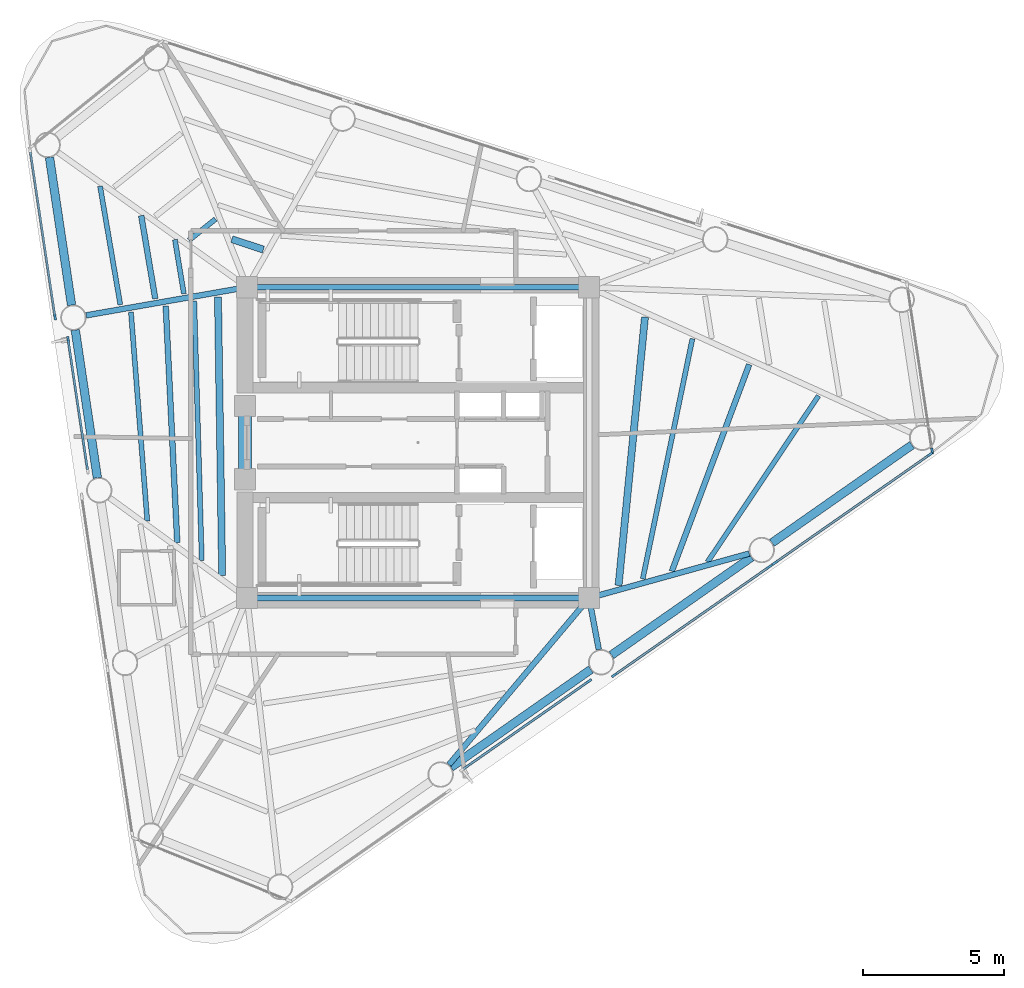
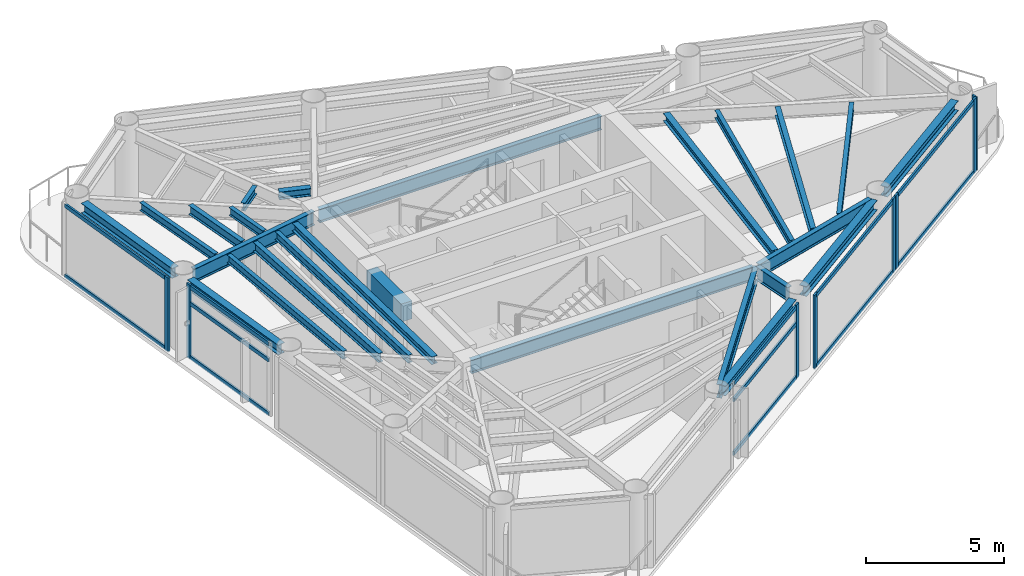
# One storey, part 2 of 9: 25 beams, 20 members, 6 elements without a shape of their own.
"""IFC4 building model written with IfcOpenShell, lengths in metres."""

from ifc_helpers import new_model, si_unit, direction, frame, origin, origin_2d, place, context, subcontext, project, spatial, rectangle, i_section, extrude, source, transform, mapped, material, layer, layer_set, material_profile, profile_set, type_object, element, aggregate, save


model = new_model("IFC4")

# Units and contexts
model_context = context("Model", 3, precision=1e-05, world=origin(), true_north=direction((0.0, 1.0)))
body_context = subcontext(model_context, "Body", "Model", "MODEL_VIEW")
ifc_project = project(units=[si_unit("LENGTHUNIT", "METRE"), si_unit("AREAUNIT", "SQUARE_METRE"), si_unit("VOLUMEUNIT", "CUBIC_METRE"), si_unit("PLANEANGLEUNIT", "RADIAN"), si_unit("MASSUNIT", "GRAM", prefix="KILO")], contexts=[model_context])

# Site, building, storey
site_placement = place(None, origin())
site = spatial("IfcSite", under=ifc_project, at=site_placement, CompositionType="ELEMENT")
building_placement = place(site_placement, origin())
building = spatial("IfcBuilding", under=site, at=building_placement, Name="Yunling Apex Tower", CompositionType="ELEMENT")
storey_placement = place(building_placement, frame((0.0, 0.0, 281.35009765625)))
storey = spatial("IfcBuildingStorey", under=building, at=storey_placement, Name="L69", CompositionType="ELEMENT", Elevation=281.35009765625)

# Beams
ifc_material_1 = material(Name="Concrete C40", Category="concrete")
ifc_material_profile_1 = material_profile(ifc_material_1, rectangle(XDim=0.449951171875, YDim=0.800048828125, at=origin_2d()))
ifc_profile_set_1 = profile_set([ifc_material_profile_1], Name="Concrete C40")
beam_type_1 = type_object("IfcBeamType", Name="BC-CPL-3", PredefinedType="BEAM", material=ifc_profile_set_1)
shared_shape_1 = source(origin(), body_context, "Body", "SweptSolid", [
    extrude(rectangle(XDim=0.449951171875, YDim=0.800048828125, at=origin_2d()), origin(), (0.0, 0.0, 1.0), 2.5),
])
beam_1_placement = place(storey_placement, frame((-6.125, -1.25, 2.77978515625), z_axis=(0.0, 1.0, 0.0), x_axis=(-1.0, 0.0, 0.0)))
element("IfcBeam", 1, at=beam_1_placement, inside=storey, type_object=beam_type_1, Name="L69 Core West Portal Coupling Beam", PredefinedType="BEAM", context=body_context, shape_type="MappedRepresentation", body=[
    mapped(shared_shape_1, transform((0.0, 0.0, 0.0), scale=1.0)),
])
ifc_material_2 = material(Name="Steel Q355B", Category="steel")
ifc_material_profile_2 = material_profile(ifc_material_2, i_section(OverallWidth=0.199951171875, OverallDepth=0.60009765625, WebThickness=0.010986328125, FlangeThickness=0.01708984375, FilletRadius=0.02197265625, at=origin_2d()))
ifc_profile_set_2 = profile_set([ifc_material_profile_2], Name="Steel Q355B")
beam_type_2 = type_object("IfcBeamType", Name="BG-PRI-5", PredefinedType="USERDEFINED", material=ifc_profile_set_2)
shared_shape_2 = source(origin(), body_context, "Body", "SweptSolid", [
    extrude(i_section(OverallWidth=0.199951171875, OverallDepth=0.60009765625, WebThickness=0.010986328125, FlangeThickness=0.01708984375, FilletRadius=0.02197265625, at=origin_2d()), origin(), (0.0, 0.0, 1.0), 11.7998046875),
])
for number, where, z_axis, x_axis, name in (
    (2, (-5.89990234375, -5.5, 2.8798828125), (1.0, 0.0, 0.0), (0.0, 1.0, 0.0), "L69 Core Ring Tie Beam 1"),
    (3, (5.89990234375, 5.5, 2.8798828125), (-1.0, 0.0, 0.0), (0.0, -1.0, 0.0), "L69 Core Ring Tie Beam 3"),
):
    element("IfcBeam", number, at=place(storey_placement, frame(where, z_axis=z_axis, x_axis=x_axis)), inside=storey, type_object=beam_type_2, Name=name, ObjectType="GIRDER", PredefinedType="USERDEFINED", context=body_context, shape_type="MappedRepresentation", body=[
        mapped(shared_shape_2, transform((0.0, 0.0, 0.0), scale=1.0)),
    ])
ifc_material_profile_3 = material_profile(ifc_material_2, i_section(OverallWidth=0.300048828125, OverallDepth=0.43994140625, WebThickness=0.010986328125, FlangeThickness=0.01806640625, FilletRadius=0.02197265625, at=origin_2d()))
ifc_profile_set_3 = profile_set([ifc_material_profile_3], Name="Steel Q355B")
beam_type_3 = type_object("IfcBeamType", Name="BP-SPN-3", PredefinedType="SPANDREL", material=ifc_profile_set_3)
shared_shape_3 = source(origin(), body_context, "Body", "SweptSolid", [
    extrude(i_section(OverallWidth=0.300048828125, OverallDepth=0.43994140625, WebThickness=0.010986328125, FlangeThickness=0.01806640625, FilletRadius=0.02197265625, at=origin_2d()), origin(), (0.0, 0.0, 1.0), 6.043701171875),
])
for number, where, z_axis, x_axis, name in (
    (4, (1.160888671875, -11.490478515625, 2.9599609375), (0.819546828705, 0.5730122124, 0.0), (-0.5730122124, 0.819546828705, 0.0), "L69 Perimeter Spandrel Beam 2"),
    (5, (6.841796875, -7.5185546875, 2.9599609375), (0.819546828705, 0.5730122124, 0.0), (-0.5730122124, 0.819546828705, 0.0), "L69 Perimeter Spandrel Beam 3"),
    (6, (12.522705078125, -3.546630859375, 2.9599609375), (0.819546828705, 0.5730122124, 0.0), (-0.5730122124, 0.819546828705, 0.0), "L69 Perimeter Spandrel Beam 4"),
):
    element("IfcBeam", number, at=place(storey_placement, frame(where, z_axis=z_axis, x_axis=x_axis)), inside=storey, type_object=beam_type_3, Name=name, PredefinedType="SPANDREL", context=body_context, shape_type="MappedRepresentation", body=[
        mapped(shared_shape_3, transform((0.0, 0.0, 0.0), scale=1.0)),
    ])
shared_shape_4 = source(origin(), body_context, "Body", "SweptSolid", [
    extrude(i_section(OverallWidth=0.300048828125, OverallDepth=0.43994140625, WebThickness=0.010986328125, FlangeThickness=0.01806640625, FilletRadius=0.02197265625, at=origin_2d()), origin(), (0.0, 0.0, 1.0), 5.289306640625),
])
for number, where, z_axis, x_axis, name in (
    (7, (-13.044189453125, 10.09326171875, 2.9599609375), (0.147841619944, -0.989011049186, 0.0), (0.989011049186, 0.147841619944, 0.0), "L69 Perimeter Spandrel Beam 11"),
    (8, (-12.131103515625, 3.98388671875, 2.9599609375), (0.147796471114, -0.989017797174, 0.0), (0.989017797174, 0.147796471114, 0.0), "L69 Perimeter Spandrel Beam 12"),
):
    element("IfcBeam", number, at=place(storey_placement, frame(where, z_axis=z_axis, x_axis=x_axis)), inside=storey, type_object=beam_type_3, Name=name, PredefinedType="SPANDREL", context=body_context, shape_type="MappedRepresentation", body=[
        mapped(shared_shape_4, transform((0.0, 0.0, 0.0), scale=1.0)),
    ])
shared_shape_5 = source(origin(), body_context, "Body", "SweptSolid", [
    extrude(i_section(OverallWidth=0.199951171875, OverallDepth=0.60009765625, WebThickness=0.010986328125, FlangeThickness=0.01708984375, FilletRadius=0.02197265625, at=origin_2d()), origin(), (0.0, 0.0, 1.0), 7.622314453125),
])
beam_2_placement = place(storey_placement, frame((1.091796875, -11.394287109375, 2.8798828125), z_axis=(0.64373126237, 0.765251633025, 0.0), x_axis=(-0.765251633025, 0.64373126237, 0.0)))
element("IfcBeam", 9, at=beam_2_placement, inside=storey, type_object=beam_type_2, Name="L69 Radial Primary Girder R02", ObjectType="GIRDER", PredefinedType="USERDEFINED", context=body_context, shape_type="MappedRepresentation", body=[
    mapped(shared_shape_5, transform((0.0, 0.0, 0.0), scale=1.0)),
])
shared_shape_6 = source(origin(), body_context, "Body", "SweptSolid", [
    extrude(i_section(OverallWidth=0.199951171875, OverallDepth=0.60009765625, WebThickness=0.010986328125, FlangeThickness=0.01708984375, FilletRadius=0.02197265625, at=origin_2d()), origin(), (0.0, 0.0, 1.0), 1.775146484375),
])
beam_3_placement = place(storey_placement, frame((6.393310546875, -7.322998046875, 2.8798828125), z_axis=(-0.185127194989, 0.982714567754, 0.0), x_axis=(-0.982714567754, -0.185127194989, 0.0)))
element("IfcBeam", 10, at=beam_3_placement, inside=storey, type_object=beam_type_2, Name="L69 Radial Primary Girder R03", ObjectType="GIRDER", PredefinedType="USERDEFINED", context=body_context, shape_type="MappedRepresentation", body=[
    mapped(shared_shape_6, transform((0.0, 0.0, 0.0), scale=1.0)),
])
shared_shape_7 = source(origin(), body_context, "Body", "SweptSolid", [
    extrude(i_section(OverallWidth=0.199951171875, OverallDepth=0.60009765625, WebThickness=0.010986328125, FlangeThickness=0.01708984375, FilletRadius=0.02197265625, at=origin_2d()), origin(), (0.0, 0.0, 1.0), 5.802490234375),
])
beam_4_placement = place(storey_placement, frame((11.717529296875, -3.923828125, 2.8798828125), z_axis=(-0.963437091081, -0.267934640405, 0.0), x_axis=(0.267934640405, -0.963437091081, 0.0)))
element("IfcBeam", 11, at=beam_4_placement, inside=storey, type_object=beam_type_2, Name="L69 Radial Primary Girder R04", ObjectType="GIRDER", PredefinedType="USERDEFINED", context=body_context, shape_type="MappedRepresentation", body=[
    mapped(shared_shape_7, transform((0.0, 0.0, 0.0), scale=1.0)),
])
shared_shape_8 = source(origin(), body_context, "Body", "SweptSolid", [
    extrude(i_section(OverallWidth=0.199951171875, OverallDepth=0.60009765625, WebThickness=0.010986328125, FlangeThickness=0.01708984375, FilletRadius=0.02197265625, at=origin_2d()), origin(), (0.0, 0.0, 1.0), 5.7021484375),
])
beam_5_placement = place(storey_placement, frame((-11.74560546875, 4.501953125, 2.8798828125), z_axis=(0.984994459553, 0.172585963073, 0.0), x_axis=(-0.172585963073, 0.984994459553, 0.0)))
element("IfcBeam", 12, at=beam_5_placement, inside=storey, type_object=beam_type_2, Name="L69 Radial Primary Girder R12", ObjectType="GIRDER", PredefinedType="USERDEFINED", context=body_context, shape_type="MappedRepresentation", body=[
    mapped(shared_shape_8, transform((0.0, 0.0, 0.0), scale=1.0)),
])
ifc_material_profile_4 = material_profile(ifc_material_2, i_section(OverallWidth=0.199951171875, OverallDepth=0.39990234375, WebThickness=0.008056640625, FlangeThickness=0.012939453125, FilletRadius=0.01611328125, at=origin_2d()))
ifc_profile_set_4 = profile_set([ifc_material_profile_4], Name="Steel Q355B")
beam_type_4 = type_object("IfcBeamType", Name="BS-SEC-4", PredefinedType="BEAM", material=ifc_profile_set_4)
shared_shape_9 = source(origin(), body_context, "Body", "SweptSolid", [
    extrude(i_section(OverallWidth=0.199951171875, OverallDepth=0.39990234375, WebThickness=0.008056640625, FlangeThickness=0.012939453125, FilletRadius=0.01611328125, at=origin_2d()), origin(), (0.0, 0.0, 1.0), 7.810546875),
])
beam_6_placement = place(storey_placement, frame((8.978515625, -4.551513671875, 2.97998046875), z_axis=(0.350554744198, 0.936542242144, 0.0), x_axis=(-0.936542242144, 0.350554744198, 0.0)))
element("IfcBeam", 13, at=beam_6_placement, inside=storey, type_object=beam_type_4, Name="L69 Composite Floor Beam BS-4", PredefinedType="BEAM", context=body_context, shape_type="MappedRepresentation", body=[
    mapped(shared_shape_9, transform((0.0, 0.0, 0.0), scale=1.0)),
])
ifc_material_profile_5 = material_profile(ifc_material_2, i_section(OverallWidth=0.175048828125, OverallDepth=0.35009765625, WebThickness=0.007080078125, FlangeThickness=0.010986328125, FilletRadius=0.013916015625, at=origin_2d()))
ifc_profile_set_5 = profile_set([ifc_material_profile_5], Name="Steel Q355B")
beam_type_5 = type_object("IfcBeamType", Name="BJ-JST-1", PredefinedType="JOIST", material=ifc_profile_set_5)
shared_shape_10 = source(origin(), body_context, "Body", "SweptSolid", [
    extrude(i_section(OverallWidth=0.175048828125, OverallDepth=0.35009765625, WebThickness=0.007080078125, FlangeThickness=0.010986328125, FilletRadius=0.013916015625, at=origin_2d()), origin(), (0.0, 0.0, 1.0), 7.07373046875),
])
beam_7_placement = place(storey_placement, frame((10.240966796875, -4.22607421875, 3.0048828125), z_axis=(0.555384960756, 0.831593377418, 0.0), x_axis=(-0.831593377418, 0.555384960756, 0.0)))
element("IfcBeam", 14, at=beam_7_placement, inside=storey, type_object=beam_type_5, Name="L69 Composite Floor Joist BJ1-4", PredefinedType="JOIST", context=body_context, shape_type="MappedRepresentation", body=[
    mapped(shared_shape_10, transform((0.0, 0.0, 0.0), scale=1.0)),
])
shared_shape_11 = source(origin(), body_context, "Body", "SweptSolid", [
    extrude(i_section(OverallWidth=0.175048828125, OverallDepth=0.35009765625, WebThickness=0.007080078125, FlangeThickness=0.010986328125, FilletRadius=0.013916015625, at=origin_2d()), origin(), (0.0, 0.0, 1.0), 8.68017578125),
])
beam_8_placement = place(storey_placement, frame((7.948486328125, -4.824462890625, 3.0048828125), z_axis=(0.202510736311, 0.97928004252, 0.0), x_axis=(-0.97928004252, 0.202510736311, 0.0)))
element("IfcBeam", 15, at=beam_8_placement, inside=storey, type_object=beam_type_5, Name="L69 Composite Floor Joist BJ3-4", PredefinedType="JOIST", context=body_context, shape_type="MappedRepresentation", body=[
    mapped(shared_shape_11, transform((0.0, 0.0, 0.0), scale=1.0)),
])
ifc_material_profile_6 = material_profile(ifc_material_2, i_section(OverallWidth=0.25, OverallDepth=0.340087890625, WebThickness=0.009033203125, FlangeThickness=0.013916015625, FilletRadius=0.01806640625, at=origin_2d()))
ifc_profile_set_6 = profile_set([ifc_material_profile_6], Name="Steel Q355B")
beam_type_6 = type_object("IfcBeamType", Name="BJ-JST-2", PredefinedType="JOIST", material=ifc_profile_set_6)
shared_shape_12 = source(origin(), body_context, "Body", "SweptSolid", [
    extrude(i_section(OverallWidth=0.25, OverallDepth=0.340087890625, WebThickness=0.009033203125, FlangeThickness=0.013916015625, FilletRadius=0.01806640625, at=origin_2d()), origin(), (0.0, 0.0, 1.0), 9.54052734375),
])
beam_9_placement = place(storey_placement, frame((7.093017578125, -5.05517578125, 3.010009765625), z_axis=(0.098008759691, 0.995185552057, 0.0), x_axis=(-0.995185552057, 0.098008759691, 0.0)))
element("IfcBeam", 16, at=beam_9_placement, inside=storey, type_object=beam_type_6, Name="L69 Composite Floor Joist BJ2-4", PredefinedType="JOIST", context=body_context, shape_type="MappedRepresentation", body=[
    mapped(shared_shape_12, transform((0.0, 0.0, 0.0), scale=1.0)),
])
shared_shape_13 = source(origin(), body_context, "Body", "SweptSolid", [
    extrude(i_section(OverallWidth=0.25, OverallDepth=0.340087890625, WebThickness=0.009033203125, FlangeThickness=0.013916015625, FilletRadius=0.01806640625, at=origin_2d()), origin(), (0.0, 0.0, 1.0), 1.1728515625),
])
beam_10_placement = place(storey_placement, frame((-5.4775390625, 6.8291015625, 3.010009765625), z_axis=(-0.949595193506, 0.31347881662, 0.0), x_axis=(-0.31347881662, -0.949595193506, 0.0)))
element("IfcBeam", 17, at=beam_10_placement, inside=storey, type_object=beam_type_6, Name="L69 Composite Floor Joist BJ2-9", PredefinedType="JOIST", context=body_context, shape_type="MappedRepresentation", body=[
    mapped(shared_shape_13, transform((0.0, 0.0, 0.0), scale=1.0)),
])
shared_shape_14 = source(origin(), body_context, "Body", "SweptSolid", [
    extrude(i_section(OverallWidth=0.175048828125, OverallDepth=0.35009765625, WebThickness=0.007080078125, FlangeThickness=0.010986328125, FilletRadius=0.013916015625, at=origin_2d()), origin(), (0.0, 0.0, 1.0), 1.2021484375),
])
beam_11_placement = place(storey_placement, frame((-7.169921875, 7.9072265625, 3.0048828125), z_axis=(-0.781225299788, -0.624249173785, 0.0), x_axis=(0.624249173785, -0.781225299788, 0.0)))
element("IfcBeam", 18, at=beam_11_placement, inside=storey, type_object=beam_type_5, Name="L69 Composite Floor Joist BJ3-10", PredefinedType="JOIST", context=body_context, shape_type="MappedRepresentation", body=[
    mapped(shared_shape_14, transform((0.0, 0.0, 0.0), scale=1.0)),
])
shared_shape_15 = source(origin(), body_context, "Body", "SweptSolid", [
    extrude(i_section(OverallWidth=0.199951171875, OverallDepth=0.39990234375, WebThickness=0.008056640625, FlangeThickness=0.012939453125, FilletRadius=0.01611328125, at=origin_2d()), origin(), (0.0, 0.0, 1.0), 2.980712890625),
])
beam_12_placement = place(storey_placement, frame((-9.796630859375, 8.031982421875, 2.97998046875), z_axis=(0.166351127682, -0.986066581078, 0.0), x_axis=(0.986066581078, 0.166351127682, 0.0)))
element("IfcBeam", 19, at=beam_12_placement, inside=storey, type_object=beam_type_4, Name="L69 Composite Floor Beam BS-11", PredefinedType="BEAM", context=body_context, shape_type="MappedRepresentation", body=[
    mapped(shared_shape_15, transform((0.0, 0.0, 0.0), scale=1.0)),
])
shared_shape_16 = source(origin(), body_context, "Body", "SweptSolid", [
    extrude(i_section(OverallWidth=0.175048828125, OverallDepth=0.35009765625, WebThickness=0.007080078125, FlangeThickness=0.010986328125, FilletRadius=0.013916015625, at=origin_2d()), origin(), (0.0, 0.0, 1.0), 4.2548828125),
])
beam_13_placement = place(storey_placement, frame((-11.253173828125, 9.0703125, 3.0048828125), z_axis=(0.168352217176, -0.985726904864, 0.0), x_axis=(0.985726904864, 0.168352217176, 0.0)))
element("IfcBeam", 20, at=beam_13_placement, inside=storey, type_object=beam_type_5, Name="L69 Composite Floor Joist BJ1-11", PredefinedType="JOIST", context=body_context, shape_type="MappedRepresentation", body=[
    mapped(shared_shape_16, transform((0.0, 0.0, 0.0), scale=1.0)),
])
shared_shape_17 = source(origin(), body_context, "Body", "SweptSolid", [
    extrude(i_section(OverallWidth=0.175048828125, OverallDepth=0.35009765625, WebThickness=0.007080078125, FlangeThickness=0.010986328125, FilletRadius=0.013916015625, at=origin_2d()), origin(), (0.0, 0.0, 1.0), 1.93798828125),
])
beam_14_placement = place(storey_placement, frame((-8.605224609375, 7.18212890625, 3.0048828125), z_axis=(0.163009711077, -0.986624464573, 0.0), x_axis=(0.986624464573, 0.163009711077, 0.0)))
element("IfcBeam", 21, at=beam_14_placement, inside=storey, type_object=beam_type_5, Name="L69 Composite Floor Joist BJ3-11", PredefinedType="JOIST", context=body_context, shape_type="MappedRepresentation", body=[
    mapped(shared_shape_17, transform((0.0, 0.0, 0.0), scale=1.0)),
])
shared_shape_18 = source(origin(), body_context, "Body", "SweptSolid", [
    extrude(i_section(OverallWidth=0.199951171875, OverallDepth=0.39990234375, WebThickness=0.008056640625, FlangeThickness=0.012939453125, FilletRadius=0.01611328125, at=origin_2d()), origin(), (0.0, 0.0, 1.0), 8.388916015625),
])
beam_15_placement = place(storey_placement, frame((-8.929443359375, 4.834228515625, 2.97998046875), z_axis=(0.048573134041, -0.998819628687, 0.0), x_axis=(0.998819628687, 0.048573134041, 0.0)))
element("IfcBeam", 22, at=beam_15_placement, inside=storey, type_object=beam_type_4, Name="L69 Composite Floor Beam BS-12", PredefinedType="BEAM", context=body_context, shape_type="MappedRepresentation", body=[
    mapped(shared_shape_18, transform((0.0, 0.0, 0.0), scale=1.0)),
])
shared_shape_19 = source(origin(), body_context, "Body", "SweptSolid", [
    extrude(i_section(OverallWidth=0.175048828125, OverallDepth=0.35009765625, WebThickness=0.007080078125, FlangeThickness=0.010986328125, FilletRadius=0.013916015625, at=origin_2d()), origin(), (0.0, 0.0, 1.0), 7.416259765625),
])
beam_16_placement = place(storey_placement, frame((-10.160400390625, 4.6181640625, 3.0048828125), z_axis=(0.077952594819, -0.996957066759, 0.0), x_axis=(0.996957066759, 0.077952594819, 0.0)))
element("IfcBeam", 23, at=beam_16_placement, inside=storey, type_object=beam_type_5, Name="L69 Composite Floor Joist BJ1-12", PredefinedType="JOIST", context=body_context, shape_type="MappedRepresentation", body=[
    mapped(shared_shape_19, transform((0.0, 0.0, 0.0), scale=1.0)),
])
shared_shape_20 = source(origin(), body_context, "Body", "SweptSolid", [
    extrude(i_section(OverallWidth=0.175048828125, OverallDepth=0.35009765625, WebThickness=0.007080078125, FlangeThickness=0.010986328125, FilletRadius=0.013916015625, at=origin_2d()), origin(), (0.0, 0.0, 1.0), 9.189208984375),
])
beam_17_placement = place(storey_placement, frame((-7.92138671875, 5.01123046875, 3.0048828125), z_axis=(0.028986034605, -0.999579816622, 0.0), x_axis=(0.999579816622, 0.028986034605, 0.0)))
element("IfcBeam", 24, at=beam_17_placement, inside=storey, type_object=beam_type_5, Name="L69 Composite Floor Joist BJ3-12", PredefinedType="JOIST", context=body_context, shape_type="MappedRepresentation", body=[
    mapped(shared_shape_20, transform((0.0, 0.0, 0.0), scale=1.0)),
])
shared_shape_21 = source(origin(), body_context, "Body", "SweptSolid", [
    extrude(i_section(OverallWidth=0.25, OverallDepth=0.340087890625, WebThickness=0.009033203125, FlangeThickness=0.013916015625, FilletRadius=0.01806640625, at=origin_2d()), origin(), (0.0, 0.0, 1.0), 9.858642578125),
])
beam_18_placement = place(storey_placement, frame((-7.081298828125, 5.158935546875, 3.010009765625), z_axis=(0.015056743551, -0.999886640812, 0.0), x_axis=(0.999886640812, 0.015056743551, 0.0)))
element("IfcBeam", 25, at=beam_18_placement, inside=storey, type_object=beam_type_6, Name="L69 Composite Floor Joist BJ2-12", PredefinedType="JOIST", context=body_context, shape_type="MappedRepresentation", body=[
    mapped(shared_shape_21, transform((0.0, 0.0, 0.0), scale=1.0)),
])

# Curtain wall, member
ifc_material_3 = material(Name="Bronze anodised aluminium", Category="aluminium")
ifc_layer = layer(ifc_material_3, 0.219970703125)
ifc_layer_set = layer_set([ifc_layer], Name="Bronze anodised aluminium")
curtain_wall_type = type_object("IfcCurtainWallType", Name="CW-SYS-4", PredefinedType="NOTDEFINED", material=ifc_layer_set)
curtain_wall_1_placement = place(storey_placement, origin())
curtain_wall_1 = element("IfcCurtainWall", 26, at=curtain_wall_1_placement, inside=storey, type_object=curtain_wall_type, Name="CW-L69-F1-B2", PredefinedType="NOTDEFINED")
ifc_material_profile_7 = material_profile(ifc_material_3, rectangle(XDim=0.080078125, YDim=0.219970703125, at=origin_2d()))
ifc_profile_set_7 = profile_set([ifc_material_profile_7], Name="Bronze anodised aluminium")
member_type_1 = type_object("IfcMemberType", Name="CW-MUL-4", PredefinedType="MULLION", material=ifc_profile_set_7)
shared_shape_22 = source(origin(), body_context, "Body", "SweptSolid", [
    extrude(rectangle(XDim=0.080078125, YDim=0.219970703125, at=origin_2d()), origin(), (0.0, 0.0, 1.0), 3.280029296875),
])
member_1_placement = place(storey_placement, frame((6.04345703125, -8.44287109375, -0.050048828125), z_axis=(0.0, 0.0, 1.0), x_axis=(-0.57299879219, 0.819556211708, 0.0)))
member_1 = element("IfcMember", 27, at=member_1_placement, type_object=member_type_1, Name="CW-SYS-4 mullion 2", PredefinedType="MULLION", context=body_context, shape_type="MappedRepresentation", body=[
    mapped(shared_shape_22, transform((0.0, 0.0, 0.0), scale=1.0)),
])

# Curtain wall, members
curtain_wall_2_placement = place(storey_placement, origin())
curtain_wall_2 = element("IfcCurtainWall", 28, at=curtain_wall_2_placement, inside=storey, type_object=curtain_wall_type, Name="CW-L69-F1-B3", PredefinedType="NOTDEFINED")
member_2_placement = place(storey_placement, frame((6.94287109375, -8.228759765625, -0.050048828125), z_axis=(0.0, 0.0, 1.0), x_axis=(-0.573010322379, 0.81954815017, 0.0)))
member_2 = element("IfcMember", 29, at=member_2_placement, type_object=member_type_1, Name="CW-SYS-4 mullion 1", PredefinedType="MULLION", context=body_context, shape_type="MappedRepresentation", body=[
    mapped(shared_shape_22, transform((0.0, 0.0, 0.0), scale=1.0)),
])
member_3_placement = place(storey_placement, frame((12.42724609375, -4.394287109375, -0.050048828125), z_axis=(0.0, 0.0, 1.0), x_axis=(-0.573010322379, 0.81954815017, 0.0)))
member_3 = element("IfcMember", 30, at=member_3_placement, type_object=member_type_1, Name="CW-SYS-4 mullion 2", PredefinedType="MULLION", context=body_context, shape_type="MappedRepresentation", body=[
    mapped(shared_shape_22, transform((0.0, 0.0, 0.0), scale=1.0)),
])

curtain_wall_3_placement = place(storey_placement, origin())
curtain_wall_3 = element("IfcCurtainWall", 31, at=curtain_wall_3_placement, inside=storey, type_object=curtain_wall_type, Name="CW-L69-F1-B4", PredefinedType="NOTDEFINED")
member_4_placement = place(storey_placement, frame((12.623779296875, -4.2568359375, -0.050048828125), z_axis=(0.0, 0.0, 1.0), x_axis=(-0.573000403744, 0.819555084976, 0.0)))
member_4 = element("IfcMember", 32, at=member_4_placement, type_object=member_type_1, Name="CW-SYS-4 mullion 1", PredefinedType="MULLION", context=body_context, shape_type="MappedRepresentation", body=[
    mapped(shared_shape_22, transform((0.0, 0.0, 0.0), scale=1.0)),
])
member_5_placement = place(storey_placement, frame((18.108154296875, -0.42236328125, -0.050048828125), z_axis=(0.0, 0.0, 1.0), x_axis=(-0.573000403744, 0.819555084976, 0.0)))
member_5 = element("IfcMember", 33, at=member_5_placement, type_object=member_type_1, Name="CW-SYS-4 mullion 2", PredefinedType="MULLION", context=body_context, shape_type="MappedRepresentation", body=[
    mapped(shared_shape_22, transform((0.0, 0.0, 0.0), scale=1.0)),
])

# Curtain wall, member
curtain_wall_4_placement = place(storey_placement, origin())
curtain_wall_4 = element("IfcCurtainWall", 34, at=curtain_wall_4_placement, inside=storey, type_object=curtain_wall_type, Name="CW-L69-CRN1", PredefinedType="NOTDEFINED")
member_6_placement = place(storey_placement, frame((18.189208984375, -0.2978515625, -0.050048828125), z_axis=(0.0, 0.0, 1.0), x_axis=(-0.989016885218, -0.147802573571, 0.0)))
member_6 = element("IfcMember", 35, at=member_6_placement, type_object=member_type_1, Name="CW-SYS-4 mullion 1", PredefinedType="MULLION", context=body_context, shape_type="MappedRepresentation", body=[
    mapped(shared_shape_22, transform((0.0, 0.0, 0.0), scale=1.0)),
])
aggregate(curtain_wall_4, [member_6])

curtain_wall_5_placement = place(storey_placement, origin())
curtain_wall_5 = element("IfcCurtainWall", 36, at=curtain_wall_5_placement, inside=storey, type_object=curtain_wall_type, Name="CW-L69-F3-B1", PredefinedType="NOTDEFINED")
member_7_placement = place(storey_placement, frame((-12.847412109375, 4.447265625, -0.050048828125), z_axis=(0.0, 0.0, 1.0), x_axis=(0.989016174309, 0.147807330522, 0.0)))
member_7 = element("IfcMember", 37, at=member_7_placement, type_object=member_type_1, Name="CW-SYS-4 mullion 2", PredefinedType="MULLION", context=body_context, shape_type="MappedRepresentation", body=[
    mapped(shared_shape_22, transform((0.0, 0.0, 0.0), scale=1.0)),
])

curtain_wall_6_placement = place(storey_placement, origin())
curtain_wall_6 = element("IfcCurtainWall", 38, at=curtain_wall_6_placement, inside=storey, type_object=curtain_wall_type, Name="CW-L69-F3-B2", PredefinedType="NOTDEFINED")
member_8_placement = place(storey_placement, frame((-12.384033203125, 3.646728515625, -0.050048828125), z_axis=(0.0, 0.0, 1.0), x_axis=(0.989016661745, 0.147804068926, 0.0)))
member_8 = element("IfcMember", 39, at=member_8_placement, type_object=member_type_1, Name="CW-SYS-4 mullion 1", PredefinedType="MULLION", context=body_context, shape_type="MappedRepresentation", body=[
    mapped(shared_shape_22, transform((0.0, 0.0, 0.0), scale=1.0)),
])

# Member
ifc_material_profile_8 = material_profile(ifc_material_3, rectangle(XDim=0.080078125, YDim=0.169921875, at=origin_2d()))
ifc_profile_set_8 = profile_set([ifc_material_profile_8], Name="Bronze anodised aluminium")
member_type_2 = type_object("IfcMemberType", Name="CW-TRN-4", PredefinedType="USERDEFINED", material=ifc_profile_set_8)
shared_shape_23 = source(origin(), body_context, "Body", "SweptSolid", [
    extrude(rectangle(XDim=0.080078125, YDim=0.169921875, at=origin_2d()), origin(), (0.0, 0.0, 1.0), 6.61962890625),
])
member_9_placement = place(storey_placement, frame((12.6533203125, -4.236083984375, 0.039794921875), z_axis=(0.819567916002, 0.572982051255, 0.0), x_axis=(-0.572982051255, 0.819567916002, 0.0)))
member_9 = element("IfcMember", 40, at=member_9_placement, type_object=member_type_2, Name="CW-SYS-4 transom 1.1", ObjectType="TRANSOM", PredefinedType="USERDEFINED", context=body_context, shape_type="MappedRepresentation", body=[
    mapped(shared_shape_23, transform((0.0, 0.0, 0.0), scale=1.0)),
])

member_10_placement = place(storey_placement, frame((12.6533203125, -4.236083984375, 3.139892578125), z_axis=(0.819567916002, 0.572982051255, 0.0), x_axis=(-0.572982051255, 0.819567916002, 0.0)))
member_10 = element("IfcMember", 41, at=member_10_placement, type_object=member_type_2, Name="CW-SYS-4 transom 1.2", ObjectType="TRANSOM", PredefinedType="USERDEFINED", context=body_context, shape_type="MappedRepresentation", body=[
    mapped(shared_shape_23, transform((0.0, 0.0, 0.0), scale=1.0)),
])

aggregate(curtain_wall_3, [member_4, member_5, member_9, member_10])

shared_shape_24 = source(origin(), body_context, "Body", "SweptSolid", [
    extrude(rectangle(XDim=0.080078125, YDim=0.169921875, at=origin_2d()), origin(), (0.0, 0.0, 1.0), 5.379638671875),
])
member_11_placement = place(storey_placement, frame((1.60498046875, -11.546142578125, 0.039794921875), z_axis=(0.819557991913, 0.572996245966, 0.0), x_axis=(-0.572996245966, 0.819557991913, 0.0)))
member_11 = element("IfcMember", 42, at=member_11_placement, type_object=member_type_2, Name="CW-SYS-4 transom 1.1", ObjectType="TRANSOM", PredefinedType="USERDEFINED", context=body_context, shape_type="MappedRepresentation", body=[
    mapped(shared_shape_24, transform((0.0, 0.0, 0.0), scale=1.0)),
])

member_12_placement = place(storey_placement, frame((1.60498046875, -11.546142578125, 2.416748046875), z_axis=(0.819557991913, 0.572996245966, 0.0), x_axis=(-0.572996245966, 0.819557991913, 0.0)))
member_12 = element("IfcMember", 43, at=member_12_placement, type_object=member_type_2, Name="CW-SYS-4 transom 1.2", ObjectType="TRANSOM", PredefinedType="USERDEFINED", context=body_context, shape_type="MappedRepresentation", body=[
    mapped(shared_shape_24, transform((0.0, 0.0, 0.0), scale=1.0)),
])

member_13_placement = place(storey_placement, frame((1.60498046875, -11.546142578125, 3.139892578125), z_axis=(0.819557991913, 0.572996245966, 0.0), x_axis=(-0.572996245966, 0.819557991913, 0.0)))
member_13 = element("IfcMember", 44, at=member_13_placement, type_object=member_type_2, Name="CW-SYS-4 transom 1.3", ObjectType="TRANSOM", PredefinedType="USERDEFINED", context=body_context, shape_type="MappedRepresentation", body=[
    mapped(shared_shape_24, transform((0.0, 0.0, 0.0), scale=1.0)),
])

aggregate(curtain_wall_1, [member_1, member_11, member_12, member_13])

shared_shape_25 = source(origin(), body_context, "Body", "SweptSolid", [
    extrude(rectangle(XDim=0.080078125, YDim=0.169921875, at=origin_2d()), origin(), (0.0, 0.0, 1.0), 6.619873046875),
])
member_14_placement = place(storey_placement, frame((6.972412109375, -8.208251953125, 0.039794921875), z_axis=(0.819550596795, 0.573006823077, 0.0), x_axis=(-0.573006823077, 0.819550596795, 0.0)))
member_14 = element("IfcMember", 45, at=member_14_placement, type_object=member_type_2, Name="CW-SYS-4 transom 1.1", ObjectType="TRANSOM", PredefinedType="USERDEFINED", context=body_context, shape_type="MappedRepresentation", body=[
    mapped(shared_shape_25, transform((0.0, 0.0, 0.0), scale=1.0)),
])

member_15_placement = place(storey_placement, frame((6.972412109375, -8.208251953125, 3.139892578125), z_axis=(0.819550596795, 0.573006823077, 0.0), x_axis=(-0.573006823077, 0.819550596795, 0.0)))
member_15 = element("IfcMember", 46, at=member_15_placement, type_object=member_type_2, Name="CW-SYS-4 transom 1.2", ObjectType="TRANSOM", PredefinedType="USERDEFINED", context=body_context, shape_type="MappedRepresentation", body=[
    mapped(shared_shape_25, transform((0.0, 0.0, 0.0), scale=1.0)),
])

aggregate(curtain_wall_2, [member_2, member_3, member_14, member_15])

shared_shape_26 = source(origin(), body_context, "Body", "SweptSolid", [
    extrude(rectangle(XDim=0.080078125, YDim=0.169921875, at=origin_2d()), origin(), (0.0, 0.0, 1.0), 5.865478515625),
])
member_16_placement = place(storey_placement, frame((-13.7197265625, 10.28369140625, 0.039794921875), z_axis=(0.147805126247, -0.989016503732, 0.0), x_axis=(0.989016503732, 0.147805126247, 0.0)))
member_16 = element("IfcMember", 47, at=member_16_placement, type_object=member_type_2, Name="CW-SYS-4 transom 1.1", ObjectType="TRANSOM", PredefinedType="USERDEFINED", context=body_context, shape_type="MappedRepresentation", body=[
    mapped(shared_shape_26, transform((0.0, 0.0, 0.0), scale=1.0)),
])

member_17_placement = place(storey_placement, frame((-13.7197265625, 10.28369140625, 3.139892578125), z_axis=(0.147805126247, -0.989016503732, 0.0), x_axis=(0.989016503732, 0.147805126247, 0.0)))
member_17 = element("IfcMember", 48, at=member_17_placement, type_object=member_type_2, Name="CW-SYS-4 transom 1.2", ObjectType="TRANSOM", PredefinedType="USERDEFINED", context=body_context, shape_type="MappedRepresentation", body=[
    mapped(shared_shape_26, transform((0.0, 0.0, 0.0), scale=1.0)),
])

aggregate(curtain_wall_5, [member_7, member_16, member_17])

shared_shape_27 = source(origin(), body_context, "Body", "SweptSolid", [
    extrude(rectangle(XDim=0.080078125, YDim=0.169921875, at=origin_2d()), origin(), (0.0, 0.0, 1.0), 4.625244140625),
])
member_18_placement = place(storey_placement, frame((-12.378662109375, 3.611328125, 0.039794921875), z_axis=(0.147795810874, -0.989017895838, 0.0), x_axis=(0.989017895838, 0.147795810874, 0.0)))
member_18 = element("IfcMember", 49, at=member_18_placement, type_object=member_type_2, Name="CW-SYS-4 transom 1.1", ObjectType="TRANSOM", PredefinedType="USERDEFINED", context=body_context, shape_type="MappedRepresentation", body=[
    mapped(shared_shape_27, transform((0.0, 0.0, 0.0), scale=1.0)),
])

member_19_placement = place(storey_placement, frame((-12.378662109375, 3.611328125, 2.416748046875), z_axis=(0.147795810874, -0.989017895838, 0.0), x_axis=(0.989017895838, 0.147795810874, 0.0)))
member_19 = element("IfcMember", 50, at=member_19_placement, type_object=member_type_2, Name="CW-SYS-4 transom 1.2", ObjectType="TRANSOM", PredefinedType="USERDEFINED", context=body_context, shape_type="MappedRepresentation", body=[
    mapped(shared_shape_27, transform((0.0, 0.0, 0.0), scale=1.0)),
])

member_20_placement = place(storey_placement, frame((-12.378662109375, 3.611328125, 3.139892578125), z_axis=(0.147795810874, -0.989017895838, 0.0), x_axis=(0.989017895838, 0.147795810874, 0.0)))
member_20 = element("IfcMember", 51, at=member_20_placement, type_object=member_type_2, Name="CW-SYS-4 transom 1.3", ObjectType="TRANSOM", PredefinedType="USERDEFINED", context=body_context, shape_type="MappedRepresentation", body=[
    mapped(shared_shape_27, transform((0.0, 0.0, 0.0), scale=1.0)),
])

aggregate(curtain_wall_6, [member_8, member_18, member_19, member_20])

save(model, "model.ifc")
